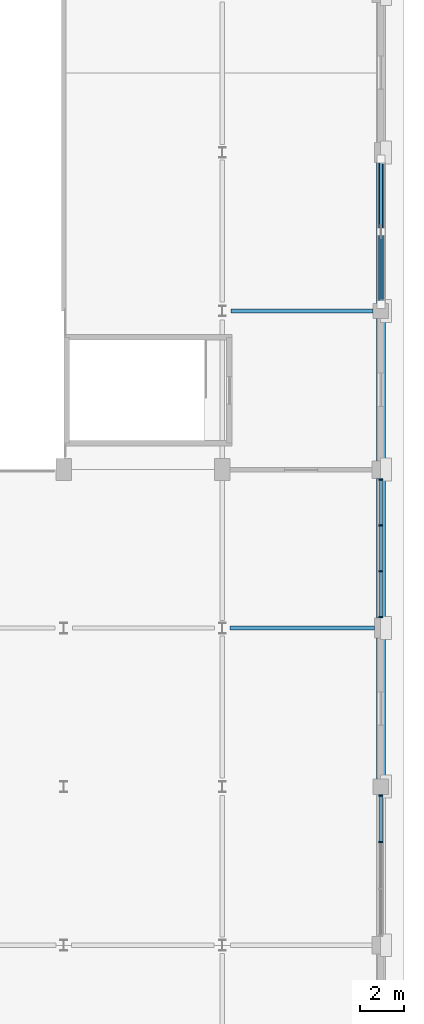
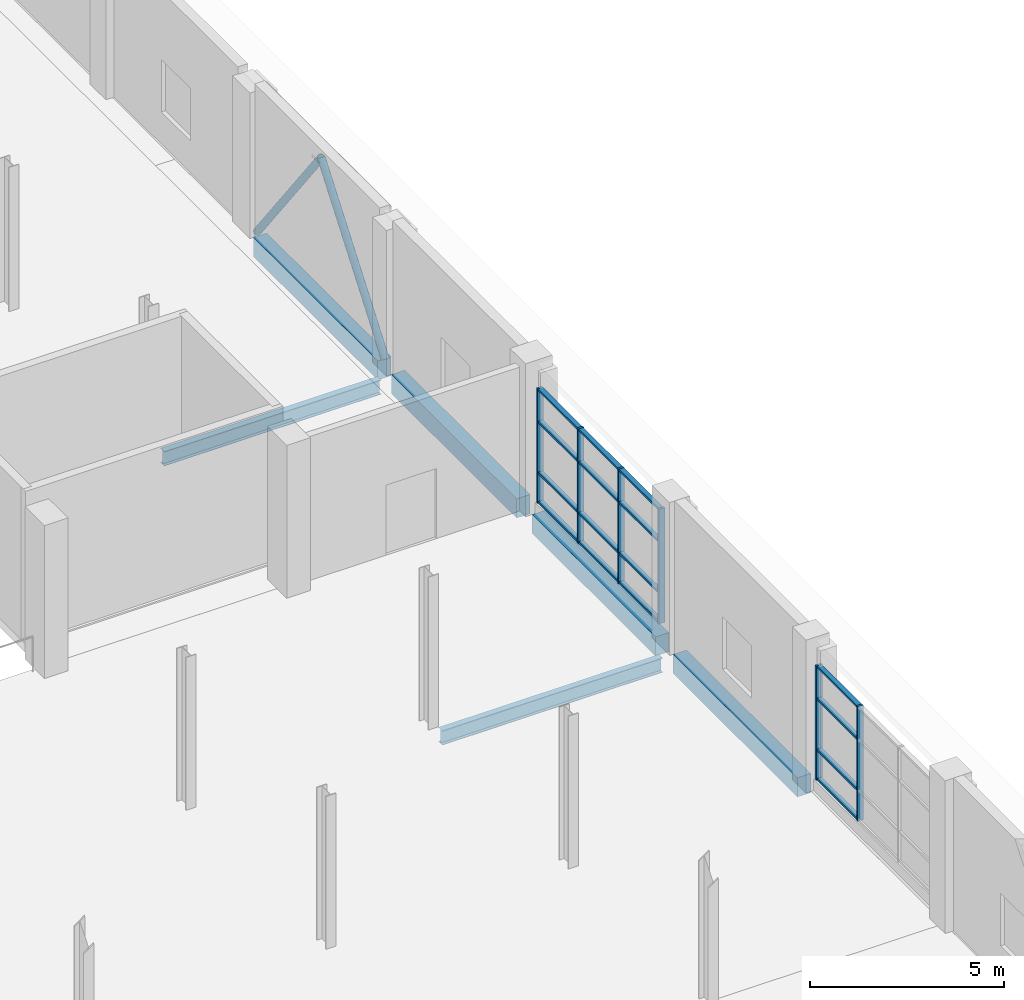
# One storey, part 43 of 82: 24 members, 6 beams, 2 elements without a shape of their own.
"""IFC4 building model written with IfcOpenShell, lengths in metres."""

import ifcopenshell
import ifcopenshell.guid

model = None  # the IFC model being written
_history = None  # IfcOwnerHistory: only IFC2X3 demands one
_inside = {}  # id of a spatial element -> (the spatial element, [elements in it])
_under = {}  # id of a project, library or spatial element -> (it, [spatial elements below it])
_declared = {}  # id of a project -> (the project, [libraries it declares])
_typed = {}  # id of a type object -> (the type object, [elements of that type])
_made_of = {}  # id of a material, layer set ... -> (it, [elements and type objects made of it])


def new_model(schema):
    """Start an empty IFC model of exactly this schema.

    Asked for "IFC4X3", IfcOpenShell would pick the latest addendum, in which some entities
    have other attributes; the version numbers below select the first issue.
    IFC2X3 requires an IfcOwnerHistory on every rooted entity: one is made here for all.
    """
    global model, _history
    if schema == "IFC4X3":
        model = ifcopenshell.file(schema_version=(4, 3, 0, 0))
    else:
        model = ifcopenshell.file(schema=schema)
    _inside.clear()
    _under.clear()
    _declared.clear()
    _typed.clear()
    _made_of.clear()
    _history = None
    if model.schema == "IFC2X3":
        org = make("IfcOrganization", Name="unknown")
        user = make(
            "IfcPersonAndOrganization",
            ThePerson=make("IfcPerson", FamilyName="unknown"),
            TheOrganization=org,
        )
        app = make(
            "IfcApplication",
            ApplicationDeveloper=org,
            Version="unknown",
            ApplicationFullName="unknown",
            ApplicationIdentifier="unknown",
        )
        _history = make(
            "IfcOwnerHistory",
            OwningUser=user,
            OwningApplication=app,
            ChangeAction="ADDED",
            CreationDate=0,
        )
    return model


def make(cls, **values):
    """One entity of the class cls with the attributes given. An attribute that is None is left unset."""
    return model.create_entity(
        cls, **{name: value for name, value in values.items() if value is not None}
    )


def rooted(cls, **values):
    """An entity with a GlobalId (a new one), such as an element, a storey or a relation."""
    return make(cls, GlobalId=ifcopenshell.guid.new(), OwnerHistory=_history, **values)


def si_unit(unit_type, name, prefix=None):
    """IfcSIUnit, for example si_unit("LENGTHUNIT", "METRE", prefix="MILLI")."""
    return make("IfcSIUnit", UnitType=unit_type, Prefix=prefix, Name=name)


def assignment(units):
    """IfcUnitAssignment: the units of a project."""
    return None if units is None else make("IfcUnitAssignment", Units=units)


def point(xyz):
    """IfcCartesianPoint."""
    return None if xyz is None else make("IfcCartesianPoint", Coordinates=xyz)


def direction(xyz):
    """IfcDirection."""
    return None if xyz is None else make("IfcDirection", DirectionRatios=xyz)


def frame(location, z_axis=None, x_axis=None):
    """IfcAxis2Placement3D, a coordinate frame: its origin and axes. An axis left out is left unset."""
    return make(
        "IfcAxis2Placement3D",
        Location=point(location),
        Axis=direction(z_axis),
        RefDirection=direction(x_axis),
    )


def frame_2d(location, x_axis=None):
    """IfcAxis2Placement2D, a coordinate frame in the plane: its origin and x axis."""
    return make(
        "IfcAxis2Placement2D", Location=point(location), RefDirection=direction(x_axis)
    )


def origin():
    """The frame at (0, 0, 0) with its axes left unset."""
    return frame((0.0, 0.0, 0.0))


def origin_2d():
    """The frame at (0, 0) in the plane with its x axis left unset."""
    return frame_2d((0.0, 0.0))


def place(relative_to, where):
    """IfcLocalPlacement: puts the frame where relative to a parent placement (None: the world)."""
    return make(
        "IfcLocalPlacement", PlacementRelTo=relative_to, RelativePlacement=where
    )


def context(
    kind, dimensions, precision=None, world=None, true_north=None, identifier=None
):
    """IfcGeometricRepresentationContext, for example the 3D "Model" context."""
    return make(
        "IfcGeometricRepresentationContext",
        ContextIdentifier=identifier,
        ContextType=kind,
        CoordinateSpaceDimension=dimensions,
        Precision=precision,
        WorldCoordinateSystem=world,
        TrueNorth=true_north,
    )


def subcontext(parent, identifier, kind, view, scale=None):
    """IfcGeometricRepresentationSubContext, for example "Body" below "Model"."""
    return make(
        "IfcGeometricRepresentationSubContext",
        ContextIdentifier=identifier,
        ContextType=kind,
        ParentContext=parent,
        TargetScale=scale,
        TargetView=view,
    )


def project(units=None, contexts=None):
    """IfcProject with its units and contexts."""
    return rooted(
        "IfcProject",
        Name="project",
        RepresentationContexts=contexts,
        UnitsInContext=assignment(units),
    )


def spatial(cls, under=None, at=None, **own):
    """A site, building, storey or space (cls), placed at a placement, below another one or the project."""
    s = rooted(cls, ObjectPlacement=at, **own)
    if under is not None:
        _under.setdefault(under.id(), (under, []))[1].append(s)
    return s


def profile(cls, at=None, kind="AREA", **sizes):
    """A parametric profile (cls). Its sizes go by their IFC names, for example OverallWidth=200.0."""
    return make(cls, ProfileType=kind, Position=at, **sizes)


def rectangle(**sizes):
    """IfcRectangleProfileDef."""
    return profile("IfcRectangleProfileDef", **sizes)


def hollow_circle(**sizes):
    """IfcCircleHollowProfileDef."""
    return profile("IfcCircleHollowProfileDef", **sizes)


def i_section(**sizes):
    """IfcIShapeProfileDef."""
    return profile("IfcIShapeProfileDef", **sizes)


def extrude(swept, where, along, depth):
    """IfcExtrudedAreaSolid: the profile swept, set in the frame where, extruded along a direction by depth."""
    return make(
        "IfcExtrudedAreaSolid",
        SweptArea=swept,
        Position=where,
        ExtrudedDirection=direction(along),
        Depth=depth,
    )


def shape(context_of_items, identifier, shape_type, items):
    """IfcShapeRepresentation: the items that make up one representation, for example the "Body"."""
    return make(
        "IfcShapeRepresentation",
        ContextOfItems=context_of_items,
        RepresentationIdentifier=identifier,
        RepresentationType=shape_type,
        Items=items,
    )


def material(Name=None, Category=None):
    """IfcMaterial."""
    return make("IfcMaterial", Name=Name, Category=Category)


def material_profile(
    of_material, cross_section, Name=None, Category=None, Priority=None
):
    """IfcMaterialProfile: a cross section and its material."""
    return make(
        "IfcMaterialProfile",
        Name=Name,
        Material=of_material,
        Profile=cross_section,
        Priority=Priority,
        Category=Category,
    )


def profile_set(profiles, Name=None, composite=None):
    """IfcMaterialProfileSet."""
    return make(
        "IfcMaterialProfileSet",
        Name=Name,
        MaterialProfiles=profiles,
        CompositeProfile=composite,
    )


def made_of(thing, what):
    """Note that an element or type object is made of a material, layer set ...; save() writes the relation."""
    if what is not None:
        _made_of.setdefault(what.id(), (what, []))[1].append(thing)
    return thing


def type_object(cls, material=None, **own):
    """A type object (cls), such as IfcWallType, which elements share."""
    return made_of(rooted(cls, **own), material)


def element(
    cls,
    number,
    at=None,
    inside=None,
    cuts=None,
    type_object=None,
    material=None,
    context=None,
    identifier="Body",
    shape_type=None,
    held_by="IfcProductDefinitionShape",
    body=None,
    shapes=None,
    **own,
):
    """One element of the class cls, such as IfcWall. Its Tag is "e" and its number.

    at: its placement. inside: the storey or other place that contains it. cuts: it is an
    opening in that element (IfcRelVoidsElement). A single representation is given by context,
    identifier, shape_type and body (its items); several are given by shapes. held_by: the class
    of the entity that holds the representations. save() writes the other relations.
    """
    e = rooted(cls, Tag="e%d" % number, ObjectPlacement=at, **own)
    if body is not None:
        shapes = [shape(context, identifier, shape_type, body)]
    if shapes is not None:
        e.Representation = make(held_by, Representations=shapes)
    if inside is not None:
        _inside.setdefault(inside.id(), (inside, []))[1].append(e)
    if cuts is not None:
        rooted(
            "IfcRelVoidsElement", RelatingBuildingElement=cuts, RelatedOpeningElement=e
        )
    if type_object is not None:
        _typed.setdefault(type_object.id(), (type_object, []))[1].append(e)
    return made_of(e, material)


def aggregate(whole, parts):
    """IfcRelAggregates: a whole, such as a stair, and the parts it consists of."""
    return rooted("IfcRelAggregates", RelatingObject=whole, RelatedObjects=parts)


def save(model, path):
    """Write the relations noted so far, then the file.

    IfcRelAggregates (storeys below a building ...), IfcRelContainedInSpatialStructure (elements
    in a storey), IfcRelDefinesByType, IfcRelAssociatesMaterial and IfcRelDeclares: one each for
    every whole, place, type object, material and project.
    """
    for whole, parts in _under.values():
        aggregate(whole, parts)
    for where, things in _inside.values():
        rooted(
            "IfcRelContainedInSpatialStructure",
            RelatedElements=things,
            RelatingStructure=where,
        )
    for kind, things in _typed.values():
        rooted("IfcRelDefinesByType", RelatedObjects=things, RelatingType=kind)
    for what, things in _made_of.values():
        rooted("IfcRelAssociatesMaterial", RelatedObjects=things, RelatingMaterial=what)
    for by, libraries in _declared.values():
        rooted("IfcRelDeclares", RelatingContext=by, RelatedDefinitions=libraries)
    model.write(path)


model = new_model("IFC4")

# Units and contexts
model_context = context("Model", 3, precision=1e-05, world=origin(), true_north=direction((0.0, 1.0)))
body_context = subcontext(model_context, "Body", "Model", "MODEL_VIEW")
ifc_project = project(units=[si_unit("LENGTHUNIT", "METRE"), si_unit("AREAUNIT", "SQUARE_METRE"), si_unit("VOLUMEUNIT", "CUBIC_METRE"), si_unit("PLANEANGLEUNIT", "RADIAN"), si_unit("MASSUNIT", "GRAM", prefix="KILO")], contexts=[model_context])

# Site, building, storey
site_placement = place(None, origin())
site = spatial("IfcSite", under=ifc_project, at=site_placement, CompositionType="ELEMENT")
building_placement = place(site_placement, origin())
building = spatial("IfcBuilding", under=site, at=building_placement, Name="Sardonyx Promenade Sports Hall", CompositionType="ELEMENT")
storey_placement = place(building_placement, frame((0.0, 0.0, 11.199951171875)))
storey = spatial("IfcBuildingStorey", under=building, at=storey_placement, Name="L02", CompositionType="ELEMENT", Elevation=11.199951171875)

# Beams
ifc_material_1 = material(Name="Steel S355JR", Category="steel")
ifc_material_profile_1 = material_profile(ifc_material_1, i_section(OverallWidth=0.18994140625, OverallDepth=0.453369140625, WebThickness=0.008544921875, FlangeThickness=0.0126953125, at=origin_2d()))
ifc_profile_set_1 = profile_set([ifc_material_profile_1], Name="Steel S355JR")
beam_type_1 = type_object("IfcBeamType", Name="Bm_Girder_UB457", PredefinedType="BEAM", material=ifc_profile_set_1)
beam_1_placement = place(storey_placement, frame((158.75, 43.199951171875, -0.5166015625), z_axis=(1.0, 0.0, 0.0), x_axis=(0.0, 1.0, 0.0)))
element("IfcBeam", 1, at=beam_1_placement, inside=storey, type_object=beam_type_1, Name="Beam SB01 L02 #535", PredefinedType="BEAM", context=body_context, shape_type="SweptSolid", body=[
    extrude(i_section(OverallWidth=0.18994140625, OverallDepth=0.453369140625, WebThickness=0.008544921875, FlangeThickness=0.0126953125, at=origin_2d()), origin(), (0.0, 0.0, 1.0), 6.550048828125),
])
beam_2_placement = place(storey_placement, frame((158.800048828125, 57.60009765625, -0.49658203125), z_axis=(1.0, 0.0, 0.0), x_axis=(0.0, 1.0, 0.0)))
element("IfcBeam", 2, at=beam_2_placement, inside=storey, type_object=beam_type_1, Name="Beam SB01 L02 #541", PredefinedType="BEAM", context=body_context, shape_type="SweptSolid", body=[
    extrude(i_section(OverallWidth=0.18994140625, OverallDepth=0.453369140625, WebThickness=0.008544921875, FlangeThickness=0.0126953125, at=origin_2d()), origin(), (0.0, 0.0, 1.0), 6.449951171875),
])
ifc_material_2 = material(Name="Concrete C40/50", Category="concrete")
ifc_material_profile_2 = material_profile(ifc_material_2, rectangle(XDim=0.39990234375, YDim=0.60009765625, at=origin_2d()))
ifc_profile_set_2 = profile_set([ifc_material_profile_2], Name="Concrete C40/50")
beam_type_2 = type_object("IfcBeamType", Name="Bm_Spandrel_RC600", PredefinedType="SPANDREL", material=ifc_profile_set_2)
beam_3_placement = place(storey_placement, frame((165.60009765625, 36.35009765625, -0.300048828125), z_axis=(0.0, 1.0, 0.0), x_axis=(-1.0, 0.0, 0.0)))
element("IfcBeam", 3, at=beam_3_placement, inside=storey, type_object=beam_type_2, Name="Beam SPB1 L02 #699", PredefinedType="SPANDREL", context=body_context, shape_type="SweptSolid", body=[
    extrude(rectangle(XDim=0.39990234375, YDim=0.60009765625, at=origin_2d()), origin(), (0.0, 0.0, 1.0), 6.39990234375),
])
beam_4_placement = place(storey_placement, frame((165.60009765625, 43.64990234375, -0.300048828125), z_axis=(0.0, 1.0, 0.0), x_axis=(-1.0, 0.0, 0.0)))
element("IfcBeam", 4, at=beam_4_placement, inside=storey, type_object=beam_type_2, Name="Beam SPB1 L02 #700", PredefinedType="SPANDREL", context=body_context, shape_type="SweptSolid", body=[
    extrude(rectangle(XDim=0.39990234375, YDim=0.60009765625, at=origin_2d()), origin(), (0.0, 0.0, 1.0), 6.35009765625),
])
beam_5_placement = place(storey_placement, frame((165.60009765625, 50.800048828125, -0.300048828125), z_axis=(0.0, 1.0, 0.0), x_axis=(-1.0, 0.0, 0.0)))
element("IfcBeam", 5, at=beam_5_placement, inside=storey, type_object=beam_type_2, Name="Beam SPB1 L02 #701", PredefinedType="SPANDREL", context=body_context, shape_type="SweptSolid", body=[
    extrude(rectangle(XDim=0.39990234375, YDim=0.60009765625, at=origin_2d()), origin(), (0.0, 0.0, 1.0), 6.449951171875),
])
beam_6_placement = place(storey_placement, frame((165.60009765625, 57.949951171875, -0.300048828125), z_axis=(0.0, 1.0, 0.0), x_axis=(-1.0, 0.0, 0.0)))
element("IfcBeam", 6, at=beam_6_placement, inside=storey, type_object=beam_type_2, Name="Beam SPB1 L02 #702", PredefinedType="SPANDREL", context=body_context, shape_type="SweptSolid", body=[
    extrude(rectangle(XDim=0.39990234375, YDim=0.60009765625, at=origin_2d()), origin(), (0.0, 0.0, 1.0), 6.400146484375),
])

# Curtain wall, members
ifc_material_3 = material(Name="Aluminium 6063-T6", Category="aluminium")
curtain_wall_type = type_object("IfcCurtainWallType", Name="CW_Prac_East_L02", PredefinedType="USERDEFINED", material=ifc_material_3)
curtain_wall_1_placement = place(storey_placement, origin())
curtain_wall_1 = element("IfcCurtainWall", 7, at=curtain_wall_1_placement, inside=storey, type_object=curtain_wall_type, Name="Curtain wall CW03 cw:L02:056", ObjectType="CURTAIN WALL", PredefinedType="USERDEFINED")
ifc_material_4 = material(Name="Aluminium 6063-T6", Category="aluminium")
ifc_material_profile_3 = material_profile(ifc_material_4, rectangle(XDim=0.06494140625, YDim=0.175048828125, at=origin_2d()))
ifc_profile_set_3 = profile_set([ifc_material_profile_3], Name="Aluminium 6063-T6")
member_type_1 = type_object("IfcMemberType", Name="CW_Mull_175", PredefinedType="MULLION", material=ifc_profile_set_3)
member_1_placement = place(storey_placement, frame((165.60009765625, 49.947509765625, 0.35009765625), z_axis=(0.0, 0.0, 1.0), x_axis=(0.0, -1.0, 0.0)))
member_1 = element("IfcMember", 8, at=member_1_placement, type_object=member_type_1, Name="Mullion CM02 cw:L02:056 #1", PredefinedType="MULLION", context=body_context, shape_type="SweptSolid", body=[
    extrude(rectangle(XDim=0.06494140625, YDim=0.175048828125, at=origin_2d()), origin(), (0.0, 0.0, 1.0), 3.599853515625),
])
member_2_placement = place(storey_placement, frame((165.60009765625, 47.86572265625, 0.35009765625), z_axis=(0.0, 0.0, 1.0), x_axis=(0.0, -1.0, 0.0)))
member_2 = element("IfcMember", 9, at=member_2_placement, type_object=member_type_1, Name="Mullion CM02 cw:L02:056 #2", PredefinedType="MULLION", context=body_context, shape_type="SweptSolid", body=[
    extrude(rectangle(XDim=0.06494140625, YDim=0.175048828125, at=origin_2d()), origin(), (0.0, 0.0, 1.0), 3.599853515625),
])
member_3_placement = place(storey_placement, frame((165.60009765625, 45.7841796875, 0.35009765625), z_axis=(0.0, 0.0, 1.0), x_axis=(0.0, -1.0, 0.0)))
member_3 = element("IfcMember", 10, at=member_3_placement, type_object=member_type_1, Name="Mullion CM02 cw:L02:056 #3", PredefinedType="MULLION", context=body_context, shape_type="SweptSolid", body=[
    extrude(rectangle(XDim=0.06494140625, YDim=0.175048828125, at=origin_2d()), origin(), (0.0, 0.0, 1.0), 3.599853515625),
])
member_4_placement = place(storey_placement, frame((165.60009765625, 43.702392578125, 0.35009765625), z_axis=(0.0, 0.0, 1.0), x_axis=(0.0, -1.0, 0.0)))
member_4 = element("IfcMember", 11, at=member_4_placement, type_object=member_type_1, Name="Mullion CM02 cw:L02:056 #4", PredefinedType="MULLION", context=body_context, shape_type="SweptSolid", body=[
    extrude(rectangle(XDim=0.06494140625, YDim=0.175048828125, at=origin_2d()), origin(), (0.0, 0.0, 1.0), 3.599853515625),
])

curtain_wall_2_placement = place(storey_placement, origin())
curtain_wall_2 = element("IfcCurtainWall", 12, at=curtain_wall_2_placement, inside=storey, type_object=curtain_wall_type, Name="Curtain wall CW03 cw:L02:057", ObjectType="CURTAIN WALL", PredefinedType="USERDEFINED")
member_5_placement = place(storey_placement, frame((165.60009765625, 35.597412109375, 0.35009765625), z_axis=(0.0, 0.0, 1.0), x_axis=(0.0, -1.0, 0.0)))
member_5 = element("IfcMember", 13, at=member_5_placement, type_object=member_type_1, Name="Mullion CM02 cw:L02:057 #1", PredefinedType="MULLION", context=body_context, shape_type="SweptSolid", body=[
    extrude(rectangle(XDim=0.06494140625, YDim=0.175048828125, at=origin_2d()), origin(), (0.0, 0.0, 1.0), 3.599853515625),
])
member_6_placement = place(storey_placement, frame((165.60009765625, 33.482421875, 0.35009765625), z_axis=(0.0, 0.0, 1.0), x_axis=(0.0, -1.0, 0.0)))
member_6 = element("IfcMember", 14, at=member_6_placement, type_object=member_type_1, Name="Mullion CM02 cw:L02:057 #2", PredefinedType="MULLION", context=body_context, shape_type="SweptSolid", body=[
    extrude(rectangle(XDim=0.06494140625, YDim=0.175048828125, at=origin_2d()), origin(), (0.0, 0.0, 1.0), 3.599853515625),
])

# Member
ifc_material_5 = material(Name="Aluminium 6063-T6", Category="aluminium")
ifc_material_profile_4 = material_profile(ifc_material_5, rectangle(XDim=0.06494140625, YDim=0.139892578125, at=origin_2d()))
ifc_profile_set_4 = profile_set([ifc_material_profile_4], Name="Aluminium 6063-T6")
member_type_2 = type_object("IfcMemberType", Name="CW_Tran_140", PredefinedType="USERDEFINED", material=ifc_profile_set_4)
member_7_placement = place(storey_placement, frame((165.60009765625, 49.9150390625, 0.382568359375), z_axis=(0.0, -1.0, 0.0), x_axis=(0.0, 0.0, 1.0)))
member_7 = element("IfcMember", 15, at=member_7_placement, type_object=member_type_2, Name="Transom CT02 cw:L02:056 #1", ObjectType="TRANSOM", PredefinedType="USERDEFINED", context=body_context, shape_type="SweptSolid", body=[
    extrude(rectangle(XDim=0.06494140625, YDim=0.139892578125, at=origin_2d()), origin(), (0.0, 0.0, 1.0), 2.0166015625),
])

member_8_placement = place(storey_placement, frame((165.60009765625, 49.9150390625, 1.300048828125), z_axis=(0.0, -1.0, 0.0), x_axis=(0.0, 0.0, 1.0)))
member_8 = element("IfcMember", 16, at=member_8_placement, type_object=member_type_2, Name="Transom CT02 cw:L02:056 #2", ObjectType="TRANSOM", PredefinedType="USERDEFINED", context=body_context, shape_type="SweptSolid", body=[
    extrude(rectangle(XDim=0.06494140625, YDim=0.139892578125, at=origin_2d()), origin(), (0.0, 0.0, 1.0), 2.0166015625),
])

member_9_placement = place(storey_placement, frame((165.60009765625, 49.9150390625, 2.900146484375), z_axis=(0.0, -1.0, 0.0), x_axis=(0.0, 0.0, 1.0)))
member_9 = element("IfcMember", 17, at=member_9_placement, type_object=member_type_2, Name="Transom CT02 cw:L02:056 #3", ObjectType="TRANSOM", PredefinedType="USERDEFINED", context=body_context, shape_type="SweptSolid", body=[
    extrude(rectangle(XDim=0.06494140625, YDim=0.139892578125, at=origin_2d()), origin(), (0.0, 0.0, 1.0), 2.0166015625),
])

member_10_placement = place(storey_placement, frame((165.60009765625, 49.9150390625, 3.91748046875), z_axis=(0.0, -1.0, 0.0), x_axis=(0.0, 0.0, 1.0)))
member_10 = element("IfcMember", 18, at=member_10_placement, type_object=member_type_2, Name="Transom CT02 cw:L02:056 #4", ObjectType="TRANSOM", PredefinedType="USERDEFINED", context=body_context, shape_type="SweptSolid", body=[
    extrude(rectangle(XDim=0.06494140625, YDim=0.139892578125, at=origin_2d()), origin(), (0.0, 0.0, 1.0), 2.0166015625),
])

member_11_placement = place(storey_placement, frame((165.60009765625, 47.833251953125, 0.382568359375), z_axis=(0.0, -1.0, 0.0), x_axis=(0.0, 0.0, 1.0)))
member_11 = element("IfcMember", 19, at=member_11_placement, type_object=member_type_2, Name="Transom CT02 cw:L02:056 #5", ObjectType="TRANSOM", PredefinedType="USERDEFINED", context=body_context, shape_type="SweptSolid", body=[
    extrude(rectangle(XDim=0.06494140625, YDim=0.139892578125, at=origin_2d()), origin(), (0.0, 0.0, 1.0), 2.0166015625),
])

member_12_placement = place(storey_placement, frame((165.60009765625, 47.833251953125, 1.300048828125), z_axis=(0.0, -1.0, 0.0), x_axis=(0.0, 0.0, 1.0)))
member_12 = element("IfcMember", 20, at=member_12_placement, type_object=member_type_2, Name="Transom CT02 cw:L02:056 #6", ObjectType="TRANSOM", PredefinedType="USERDEFINED", context=body_context, shape_type="SweptSolid", body=[
    extrude(rectangle(XDim=0.06494140625, YDim=0.139892578125, at=origin_2d()), origin(), (0.0, 0.0, 1.0), 2.0166015625),
])

member_13_placement = place(storey_placement, frame((165.60009765625, 47.833251953125, 2.900146484375), z_axis=(0.0, -1.0, 0.0), x_axis=(0.0, 0.0, 1.0)))
member_13 = element("IfcMember", 21, at=member_13_placement, type_object=member_type_2, Name="Transom CT02 cw:L02:056 #7", ObjectType="TRANSOM", PredefinedType="USERDEFINED", context=body_context, shape_type="SweptSolid", body=[
    extrude(rectangle(XDim=0.06494140625, YDim=0.139892578125, at=origin_2d()), origin(), (0.0, 0.0, 1.0), 2.0166015625),
])

member_14_placement = place(storey_placement, frame((165.60009765625, 47.833251953125, 3.91748046875), z_axis=(0.0, -1.0, 0.0), x_axis=(0.0, 0.0, 1.0)))
member_14 = element("IfcMember", 22, at=member_14_placement, type_object=member_type_2, Name="Transom CT02 cw:L02:056 #8", ObjectType="TRANSOM", PredefinedType="USERDEFINED", context=body_context, shape_type="SweptSolid", body=[
    extrude(rectangle(XDim=0.06494140625, YDim=0.139892578125, at=origin_2d()), origin(), (0.0, 0.0, 1.0), 2.0166015625),
])

member_15_placement = place(storey_placement, frame((165.60009765625, 45.751708984375, 0.382568359375), z_axis=(0.0, -1.0, 0.0), x_axis=(0.0, 0.0, 1.0)))
member_15 = element("IfcMember", 23, at=member_15_placement, type_object=member_type_2, Name="Transom CT02 cw:L02:056 #9", ObjectType="TRANSOM", PredefinedType="USERDEFINED", context=body_context, shape_type="SweptSolid", body=[
    extrude(rectangle(XDim=0.06494140625, YDim=0.139892578125, at=origin_2d()), origin(), (0.0, 0.0, 1.0), 2.0166015625),
])

member_16_placement = place(storey_placement, frame((165.60009765625, 45.751708984375, 1.300048828125), z_axis=(0.0, -1.0, 0.0), x_axis=(0.0, 0.0, 1.0)))
member_16 = element("IfcMember", 24, at=member_16_placement, type_object=member_type_2, Name="Transom CT02 cw:L02:056 #10", ObjectType="TRANSOM", PredefinedType="USERDEFINED", context=body_context, shape_type="SweptSolid", body=[
    extrude(rectangle(XDim=0.06494140625, YDim=0.139892578125, at=origin_2d()), origin(), (0.0, 0.0, 1.0), 2.0166015625),
])

member_17_placement = place(storey_placement, frame((165.60009765625, 45.751708984375, 2.900146484375), z_axis=(0.0, -1.0, 0.0), x_axis=(0.0, 0.0, 1.0)))
member_17 = element("IfcMember", 25, at=member_17_placement, type_object=member_type_2, Name="Transom CT02 cw:L02:056 #11", ObjectType="TRANSOM", PredefinedType="USERDEFINED", context=body_context, shape_type="SweptSolid", body=[
    extrude(rectangle(XDim=0.06494140625, YDim=0.139892578125, at=origin_2d()), origin(), (0.0, 0.0, 1.0), 2.0166015625),
])

member_18_placement = place(storey_placement, frame((165.60009765625, 45.751708984375, 3.91748046875), z_axis=(0.0, -1.0, 0.0), x_axis=(0.0, 0.0, 1.0)))
member_18 = element("IfcMember", 26, at=member_18_placement, type_object=member_type_2, Name="Transom CT02 cw:L02:056 #12", ObjectType="TRANSOM", PredefinedType="USERDEFINED", context=body_context, shape_type="SweptSolid", body=[
    extrude(rectangle(XDim=0.06494140625, YDim=0.139892578125, at=origin_2d()), origin(), (0.0, 0.0, 1.0), 2.0166015625),
])

aggregate(curtain_wall_1, [member_1, member_2, member_3, member_4, member_7, member_8, member_9, member_10, member_11, member_12, member_13, member_14, member_15, member_16, member_17, member_18])

member_19_placement = place(storey_placement, frame((165.60009765625, 35.56494140625, 0.382568359375), z_axis=(0.0, -1.0, 0.0), x_axis=(0.0, 0.0, 1.0)))
member_19 = element("IfcMember", 27, at=member_19_placement, type_object=member_type_2, Name="Transom CT02 cw:L02:057 #1", ObjectType="TRANSOM", PredefinedType="USERDEFINED", context=body_context, shape_type="SweptSolid", body=[
    extrude(rectangle(XDim=0.06494140625, YDim=0.139892578125, at=origin_2d()), origin(), (0.0, 0.0, 1.0), 2.050048828125),
])

member_20_placement = place(storey_placement, frame((165.60009765625, 35.56494140625, 1.300048828125), z_axis=(0.0, -1.0, 0.0), x_axis=(0.0, 0.0, 1.0)))
member_20 = element("IfcMember", 28, at=member_20_placement, type_object=member_type_2, Name="Transom CT02 cw:L02:057 #2", ObjectType="TRANSOM", PredefinedType="USERDEFINED", context=body_context, shape_type="SweptSolid", body=[
    extrude(rectangle(XDim=0.06494140625, YDim=0.139892578125, at=origin_2d()), origin(), (0.0, 0.0, 1.0), 2.050048828125),
])

member_21_placement = place(storey_placement, frame((165.60009765625, 35.56494140625, 2.900146484375), z_axis=(0.0, -1.0, 0.0), x_axis=(0.0, 0.0, 1.0)))
member_21 = element("IfcMember", 29, at=member_21_placement, type_object=member_type_2, Name="Transom CT02 cw:L02:057 #3", ObjectType="TRANSOM", PredefinedType="USERDEFINED", context=body_context, shape_type="SweptSolid", body=[
    extrude(rectangle(XDim=0.06494140625, YDim=0.139892578125, at=origin_2d()), origin(), (0.0, 0.0, 1.0), 2.050048828125),
])

member_22_placement = place(storey_placement, frame((165.60009765625, 35.56494140625, 3.91748046875), z_axis=(0.0, -1.0, 0.0), x_axis=(0.0, 0.0, 1.0)))
member_22 = element("IfcMember", 30, at=member_22_placement, type_object=member_type_2, Name="Transom CT02 cw:L02:057 #4", ObjectType="TRANSOM", PredefinedType="USERDEFINED", context=body_context, shape_type="SweptSolid", body=[
    extrude(rectangle(XDim=0.06494140625, YDim=0.139892578125, at=origin_2d()), origin(), (0.0, 0.0, 1.0), 2.050048828125),
])

aggregate(curtain_wall_2, [member_5, member_6, member_19, member_20, member_21, member_22])

# Members
ifc_material_6 = material(Name="Steel S355JR", Category="steel")
ifc_material_profile_5 = material_profile(ifc_material_6, hollow_circle(Radius=0.109619140625, WallThickness=0.010009765625, at=origin_2d()))
ifc_profile_set_5 = profile_set([ifc_material_profile_5], Name="Steel S355JR")
member_type_3 = type_object("IfcMemberType", Name="Mbr_Brace_CHS219_Ext", PredefinedType="BRACE", material=ifc_profile_set_5)
for number, where, z_axis, x_axis, name in (
    (31, (165.60009765625, 57.89990234375, 0.02001953125), (0.0, 0.606152648807, 0.795348330195), (-1.0, 0.0, 0.0), "Chevron brace BR02 BF3 L02 leg 1"),
    (32, (165.60009765625, 64.5, 0.02001953125), (0.0, -0.606152648807, 0.795348330195), (1.0, 0.0, 0.0), "Chevron brace BR02 BF3 L02 leg 2"),
):
    element("IfcMember", number, at=place(storey_placement, frame(where, z_axis=z_axis, x_axis=x_axis)), inside=storey, type_object=member_type_3, Name=name, PredefinedType="BRACE", context=body_context, shape_type="SweptSolid", body=[
        extrude(hollow_circle(Radius=0.109619140625, WallThickness=0.010009765625, at=origin_2d()), origin(), (0.0, 0.0, 1.0), 5.4443359375),
    ])

save(model, "model.ifc")
